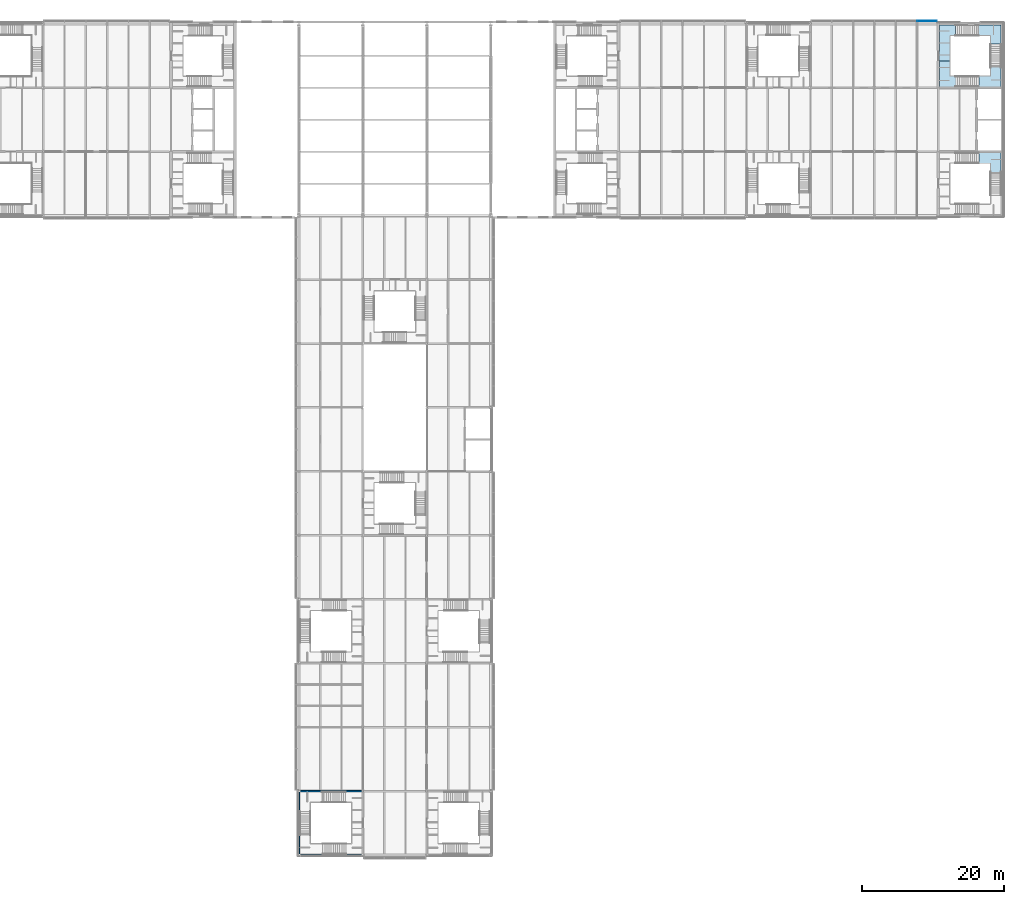
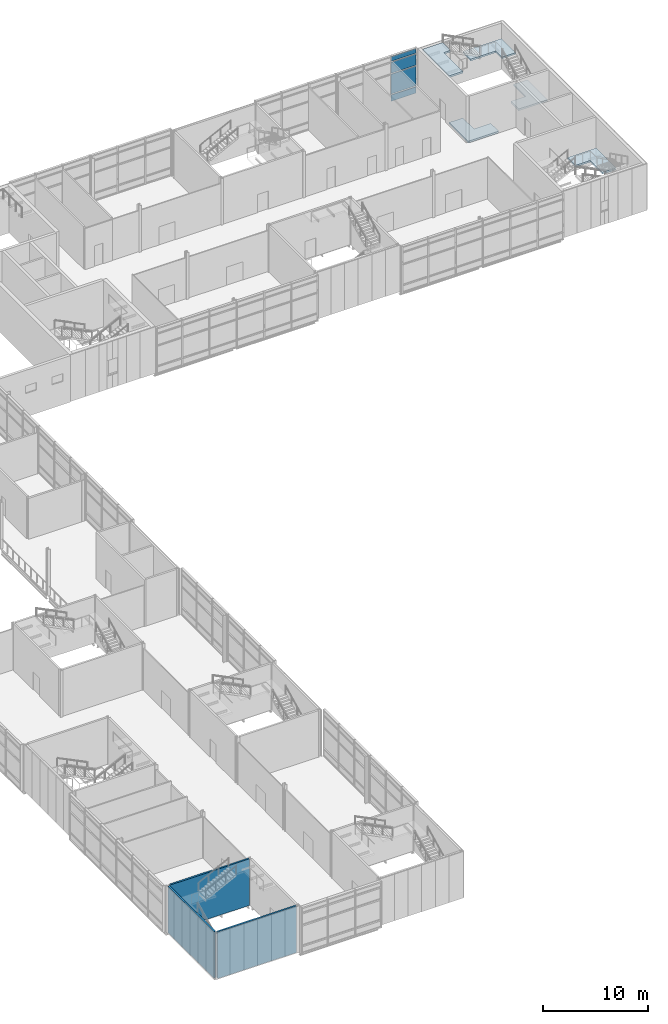
# One storey, part 35 of 53: 5 slabs, 4 plates, 3 walls, 3 elements without a shape of their own.
"""IFC4 building model written with IfcOpenShell, lengths in metres."""

from ifc_helpers import new_model, si_unit, direction, frame, frame_2d, origin, origin_2d, place, context, subcontext, project, spatial, polyline, rectangle, outline, extrude, material, layer, layer_set, type_object, element, aggregate, save


model = new_model("IFC4")

# Units and contexts
model_context = context("Model", 3, precision=1e-05, world=origin(), true_north=direction((0.0, 1.0)))
body_context = subcontext(model_context, "Body", "Model", "MODEL_VIEW")
ifc_project = project(units=[si_unit("LENGTHUNIT", "METRE"), si_unit("AREAUNIT", "SQUARE_METRE"), si_unit("VOLUMEUNIT", "CUBIC_METRE"), si_unit("PLANEANGLEUNIT", "RADIAN"), si_unit("MASSUNIT", "GRAM", prefix="KILO")], contexts=[model_context])

# Site, building, storey
site_placement = place(None, origin())
site = spatial("IfcSite", under=ifc_project, at=site_placement, CompositionType="ELEMENT")
building_placement = place(site_placement, origin())
building = spatial("IfcBuilding", under=site, at=building_placement, Name="Azimuth Sports and Learning Centre", CompositionType="ELEMENT")
storey_placement = place(building_placement, frame((0.0, 0.0, 10.800048828125)))
storey = spatial("IfcBuildingStorey", under=building, at=storey_placement, Name="L02", CompositionType="ELEMENT", Elevation=10.800048828125)

# Stair, slab
ifc_material_1 = material(Name="Concrete C32/40", Category="concrete")
stair_type = type_object("IfcStairType", Name="Square-well stair end core 5400 storey", PredefinedType="THREE_QUARTER_TURN_STAIR", material=ifc_material_1)
stair_1_placement = place(storey_placement, origin())
stair_1 = element("IfcStair", 1, at=stair_1_placement, inside=storey, type_object=stair_type, Name="Stair EW1 L02-L03", PredefinedType="THREE_QUARTER_TURN_STAIR")
ifc_material_2 = material(Name="Concrete C32/40", Category="concrete")
ifc_layer_1 = layer(ifc_material_2, 0.199951171875)
ifc_layer_set_1 = layer_set([ifc_layer_1], Name="Concrete C32/40")
slab_type = type_object("IfcSlabType", Name="Concrete stair landing", PredefinedType="LANDING", material=ifc_layer_set_1)
slab_1_placement = place(storey_placement, frame((0.0, 0.0, 1.599853515625)))
slab_1 = element("IfcSlab", 2, at=slab_1_placement, type_object=slab_type, Name="Stair EW1 L02 landing 2", PredefinedType="LANDING", context=body_context, shape_type="SweptSolid", body=[
    extrude(outline(polyline([(169.340087890625, 97.364990234375), (169.340087890625, 95.06494140625), (170.840087890625, 95.06494140625), (170.840087890625, 98.864990234375), (167.709228515625, 98.864990234375), (167.709228515625, 97.364990234375), (169.340087890625, 97.364990234375)])), origin(), (0.0, 0.0, 1.0), 0.2001953125),
])
aggregate(stair_1, [slab_1])

# Stair, slabs
stair_2_placement = place(storey_placement, origin())
stair_2 = element("IfcStair", 3, at=stair_2_placement, inside=storey, type_object=stair_type, Name="Stair EW2 L02-L03", PredefinedType="THREE_QUARTER_TURN_STAIR")
slab_2_placement = place(storey_placement, frame((0.0, 0.0, -0.199951171875)))
slab_2 = element("IfcSlab", 4, at=slab_2_placement, type_object=slab_type, Name="Stair EW2 L02 landing 1", PredefinedType="LANDING", context=body_context, shape_type="SweptSolid", body=[
    extrude(outline(polyline([(165.510009765625, 109.635009765625), (163.659912109375, 109.635009765625), (163.659912109375, 111.75), (162.159912109375, 111.75), (162.159912109375, 108.135009765625), (165.510009765625, 108.135009765625), (165.510009765625, 109.635009765625)])), origin(), (0.0, 0.0, 1.0), 0.199951171875),
])
slab_3_placement = place(storey_placement, frame((0.0, 0.0, 1.599853515625)))
slab_3 = element("IfcSlab", 5, at=slab_3_placement, type_object=slab_type, Name="Stair EW2 L02 landing 2", PredefinedType="LANDING", context=body_context, shape_type="SweptSolid", body=[
    extrude(outline(polyline([(169.340087890625, 109.635009765625), (167.709228515625, 109.635009765625), (167.709228515625, 108.135009765625), (170.840087890625, 108.135009765625), (170.840087890625, 111.93505859375), (169.340087890625, 111.93505859375), (169.340087890625, 109.635009765625)])), origin(), (0.0, 0.0, 1.0), 0.2001953125),
])
slab_4_placement = place(storey_placement, frame((0.0, 0.0, 3.39990234375)))
slab_4 = element("IfcSlab", 6, at=slab_4_placement, type_object=slab_type, Name="Stair EW2 L02 landing 3", PredefinedType="LANDING", context=body_context, shape_type="SweptSolid", body=[
    extrude(outline(polyline([(169.340087890625, 115.340087890625), (169.340087890625, 114.13427734375), (170.840087890625, 114.13427734375), (170.840087890625, 116.840087890625), (166.590087890625, 116.840087890625), (166.590087890625, 115.340087890625), (169.340087890625, 115.340087890625)])), origin(), (0.0, 0.0, 1.0), 0.199951171875),
])
slab_5_placement = place(storey_placement, frame((0.0, 0.0, 5.199951171875)))
slab_5 = element("IfcSlab", 7, at=slab_5_placement, type_object=slab_type, Name="Stair EW2 L02 landing 4", PredefinedType="LANDING", context=body_context, shape_type="SweptSolid", body=[
    extrude(outline(polyline([(163.659912109375, 115.340087890625), (164.390625, 115.340087890625), (164.390625, 116.840087890625), (162.159912109375, 116.840087890625), (162.159912109375, 111.75), (163.659912109375, 111.75), (163.659912109375, 115.340087890625)])), origin(), (0.0, 0.0, 1.0), 0.199951171875),
])
aggregate(stair_2, [slab_2, slab_3, slab_4, slab_5])

# Curtain wall, plates
ifc_material_3 = material(Name="Aluminium and glass", Category="aluminium")
curtain_wall_type = type_object("IfcCurtainWallType", Name="Curtain wall podium wing 240", PredefinedType="NOTDEFINED", material=ifc_material_3)
curtain_wall_placement = place(storey_placement, origin())
curtain_wall = element("IfcCurtainWall", 8, at=curtain_wall_placement, inside=storey, type_object=curtain_wall_type, Name="Curtain wall CW02-011", PredefinedType="NOTDEFINED")
ifc_material_4 = material(Name="Insulated aluminium panel", Category="aluminium")
ifc_layer_2 = layer(ifc_material_4, 0.06005859375)
ifc_layer_set_2 = layer_set([ifc_layer_2], Name="Insulated aluminium panel")
plate_type_1 = type_object("IfcPlateType", Name="Spandrel panel 60 mm", PredefinedType="CURTAIN_PANEL", material=ifc_layer_set_2)
plate_1_placement = place(storey_placement, frame((160.405029296875, 117.419921875, 0.1201171875), z_axis=(0.0, 0.0, 1.0), x_axis=(-1.0, 0.0, 0.0)))
plate_1 = element("IfcPlate", 9, at=plate_1_placement, type_object=plate_type_1, Name="CW02-011 panel 1.1", PredefinedType="CURTAIN_PANEL", context=body_context, shape_type="SweptSolid", body=[
    extrude(rectangle(XDim=2.72998046875, YDim=0.06005859375, at=origin_2d()), origin(), (0.0, 0.0, 1.0), 0.719970703125),
])
plate_2_placement = place(storey_placement, frame((160.405029296875, 117.419921875, 4.760009765625), z_axis=(0.0, 0.0, 1.0), x_axis=(-1.0, 0.0, 0.0)))
plate_2 = element("IfcPlate", 10, at=plate_2_placement, type_object=plate_type_1, Name="CW02-011 panel 1.4", PredefinedType="CURTAIN_PANEL", context=body_context, shape_type="SweptSolid", body=[
    extrude(rectangle(XDim=2.72998046875, YDim=0.06005859375, at=origin_2d()), origin(), (0.0, 0.0, 1.0), 0.52001953125),
])
ifc_material_5 = material(Name="Glass", Category="glass")
ifc_layer_3 = layer(ifc_material_5, 0.0439453125)
ifc_layer_set_3 = layer_set([ifc_layer_3], Name="Glass")
plate_type_2 = type_object("IfcPlateType", Name="Vision glass 44 mm", PredefinedType="CURTAIN_PANEL", material=ifc_layer_set_3)
plate_3_placement = place(storey_placement, frame((160.405029296875, 117.419921875, 0.9599609375), z_axis=(0.0, 0.0, 1.0), x_axis=(-1.0, 0.0, 0.0)))
plate_3 = element("IfcPlate", 11, at=plate_3_placement, type_object=plate_type_2, Name="CW02-011 panel 1.2", PredefinedType="CURTAIN_PANEL", context=body_context, shape_type="SweptSolid", body=[
    extrude(rectangle(XDim=2.72998046875, YDim=0.0439453125, at=origin_2d()), origin(), (0.0, 0.0, 1.0), 2.280029296875),
])
plate_4_placement = place(storey_placement, frame((160.405029296875, 117.419921875, 3.35986328125), z_axis=(0.0, 0.0, 1.0), x_axis=(-1.0, 0.0, 0.0)))
plate_4 = element("IfcPlate", 12, at=plate_4_placement, type_object=plate_type_2, Name="CW02-011 panel 1.3", PredefinedType="CURTAIN_PANEL", context=body_context, shape_type="SweptSolid", body=[
    extrude(rectangle(XDim=2.72998046875, YDim=0.0439453125, at=origin_2d()), origin(), (0.0, 0.0, 1.0), 1.280029296875),
])
aggregate(curtain_wall, [plate_1, plate_3, plate_4, plate_2])

# Walls
ifc_material_6 = material(Name="Concrete C40/50", Category="concrete")
ifc_layer_4 = layer(ifc_material_6, 0.199951171875)
ifc_layer_set_4 = layer_set([ifc_layer_4], Name="Concrete C40/50")
wall_type_1 = type_object("IfcWallType", Name="RC cell wall 200 EI 120", PredefinedType="SHEAR", material=ifc_layer_set_4)
wall_1_placement = place(storey_placement, frame((72.179931640625, 9.0, 0.0), z_axis=(0.0, 0.0, 1.0), x_axis=(1.0, 0.0, 0.0)))
element("IfcWall", 13, at=wall_1_placement, inside=storey, type_object=wall_type_1, Name="CE-ST1-N-L02", PredefinedType="SHEAR", context=body_context, shape_type="SweptSolid", body=[
    extrude(rectangle(XDim=8.670166015625, YDim=0.199951171875, at=frame_2d((4.3349609375, 0.0))), origin(), (0.0, 0.0, 1.0), 5.39990234375),
])
ifc_material_7 = material(Name="Concrete C40/50", Category="concrete")
ifc_layer_5 = layer(ifc_material_7, 0.199951171875)
ifc_layer_set_5 = layer_set([ifc_layer_5], Name="Concrete C40/50")
wall_type_2 = type_object("IfcWallType", Name="RC external cell wall 200 EI 120", PredefinedType="SHEAR", material=ifc_layer_set_5)
wall_2_placement = place(storey_placement, frame((72.179931640625, 0.0, 0.0), z_axis=(0.0, 0.0, 1.0), x_axis=(1.0, 0.0, 0.0)))
element("IfcWall", 14, at=wall_2_placement, inside=storey, type_object=wall_type_2, Name="CE-ST1-S-L02", PredefinedType="SHEAR", context=body_context, shape_type="SweptSolid", body=[
    extrude(rectangle(XDim=8.64013671875, YDim=0.199951171875, at=frame_2d((4.320068359375, 0.0))), origin(), (0.0, 0.0, 1.0), 5.39990234375),
])
wall_3_placement = place(storey_placement, frame((72.0, 0.14990234375, 0.0), z_axis=(0.0, 0.0, 1.0), x_axis=(0.0, 1.0, 0.0)))
element("IfcWall", 15, at=wall_3_placement, inside=storey, type_object=wall_type_2, Name="CE-ST1-W-L02", PredefinedType="SHEAR", context=body_context, shape_type="SweptSolid", body=[
    extrude(rectangle(XDim=8.7001953125, YDim=0.199951171875, at=frame_2d((4.35009765625, 0.0))), origin(), (0.0, 0.0, 1.0), 5.39990234375),
])

save(model, "model.ifc")
